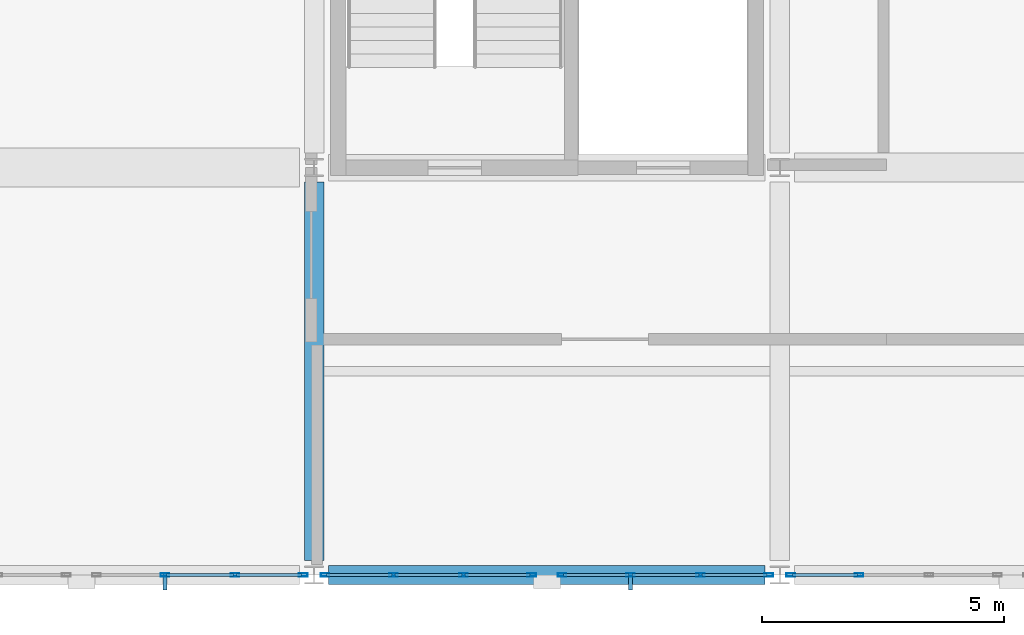
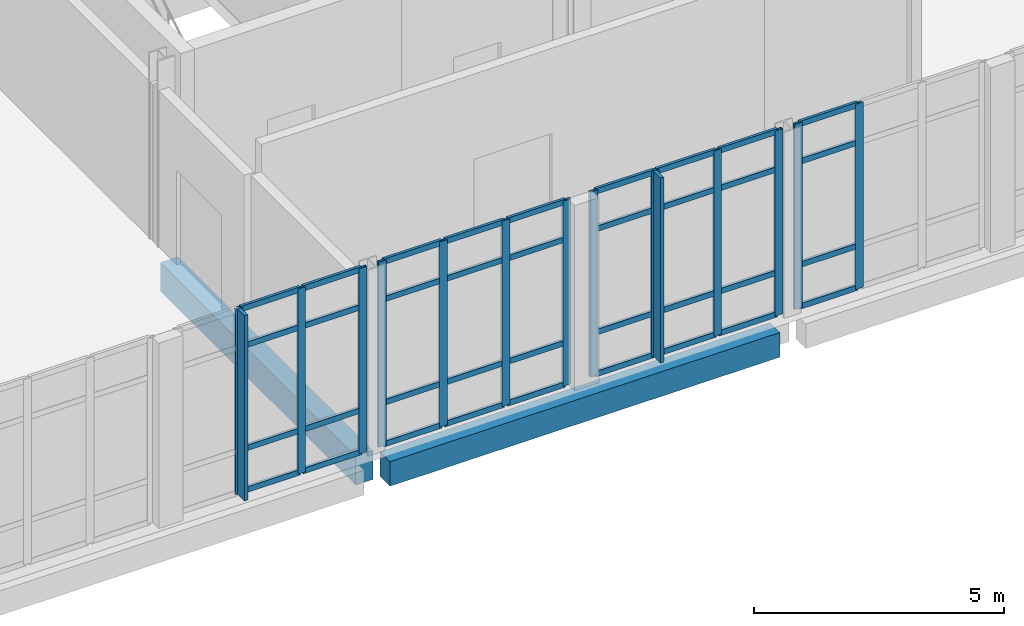
# One storey, part 16 of 102: 51 members, 2 beams, 4 elements without a shape of their own.
"""IFC4 building model written with IfcOpenShell, lengths in metres."""

from ifc_helpers import new_model, si_unit, direction, frame, origin, origin_2d, place, context, subcontext, project, spatial, rectangle, hollow_rectangle, extrude, material, layer, layer_set, material_profile, profile_set, type_object, element, aggregate, save


model = new_model("IFC4")

# Units and contexts
model_context = context("Model", 3, precision=1e-05, world=origin(), true_north=direction((0.0, 1.0)))
body_context = subcontext(model_context, "Body", "Model", "MODEL_VIEW")
ifc_project = project(units=[si_unit("LENGTHUNIT", "METRE"), si_unit("AREAUNIT", "SQUARE_METRE"), si_unit("VOLUMEUNIT", "CUBIC_METRE"), si_unit("PLANEANGLEUNIT", "RADIAN"), si_unit("MASSUNIT", "GRAM", prefix="KILO")], contexts=[model_context])

# Site, building, storey
site_placement = place(None, origin())
site = spatial("IfcSite", under=ifc_project, at=site_placement, CompositionType="ELEMENT")
building_placement = place(site_placement, origin())
building = spatial("IfcBuilding", under=site, at=building_placement, Name="Lornevale Opera House", CompositionType="ELEMENT")
storey_placement = place(building_placement, frame((0.0, 0.0, 5.39990234375)))
storey = spatial("IfcBuildingStorey", under=building, at=storey_placement, Name="L02", CompositionType="ELEMENT", Elevation=5.39990234375)

# Beams
ifc_material_1 = material(Name="Concrete 35 MPa (CSA A23.1 N)", Category="concrete")
ifc_material_profile_1 = material_profile(ifc_material_1, rectangle(XDim=0.39990234375, YDim=0.699951171875, at=origin_2d()), Name="RC400x700")
ifc_profile_set_1 = profile_set([ifc_material_profile_1], Name="Concrete 35 MPa (CSA A23.1 N)")
beam_type_1 = type_object("IfcBeamType", Name="Concrete Floor Beam 400x700", PredefinedType="USERDEFINED", material=ifc_profile_set_1)
beam_1_placement = place(storey_placement, frame((19.199951171875, 0.300048828125, -0.64990234375), z_axis=(0.0, 1.0, 0.0), x_axis=(-1.0, 0.0, 0.0)))
element("IfcBeam", 1, at=beam_1_placement, inside=storey, type_object=beam_type_1, Name="Concrete Floor Beam 400x700 1838", ObjectType="GIRDER", PredefinedType="USERDEFINED", context=body_context, shape_type="SweptSolid", body=[
    extrude(rectangle(XDim=0.39990234375, YDim=0.699951171875, at=origin_2d()), origin(), (0.0, 0.0, 1.0), 7.800048828125),
])
ifc_material_profile_2 = material_profile(ifc_material_1, rectangle(XDim=0.39990234375, YDim=0.60009765625, at=origin_2d()), Name="RC400x600")
ifc_profile_set_2 = profile_set([ifc_material_profile_2], Name="Concrete 35 MPa (CSA A23.1 N)")
beam_type_2 = type_object("IfcBeamType", Name="Concrete Spandrel Beam 400x600", PredefinedType="SPANDREL", material=ifc_profile_set_2)
beam_2_placement = place(storey_placement, frame((19.5, 0.0, -0.599853515625), z_axis=(1.0, 0.0, 0.0), x_axis=(0.0, 1.0, 0.0)))
element("IfcBeam", 2, at=beam_2_placement, inside=storey, type_object=beam_type_2, Name="Concrete Spandrel Beam 400x600 1673", PredefinedType="SPANDREL", context=body_context, shape_type="SweptSolid", body=[
    extrude(rectangle(XDim=0.39990234375, YDim=0.60009765625, at=origin_2d()), origin(), (0.0, 0.0, 1.0), 9.0),
])

# Curtain wall, members
ifc_material_2 = material(Name="Anodized Oxide-Green Aluminium Framing", Category="aluminium")
ifc_layer = layer(ifc_material_2, 0.175048828125)
ifc_layer_set = layer_set([ifc_layer], Name="Anodized Oxide-Green Aluminium Framing")
curtain_wall_type = type_object("IfcCurtainWallType", Name="Chamber Cloister Curtain Wall M1700", PredefinedType="NOTDEFINED", material=ifc_layer_set)
curtain_wall_1_placement = place(storey_placement, origin())
curtain_wall_1 = element("IfcCurtainWall", 3, at=curtain_wall_1_placement, inside=storey, type_object=curtain_wall_type, Name="Chamber Cloister Curtain Wall M1700 CW-029", PredefinedType="NOTDEFINED")
ifc_material_profile_3 = material_profile(ifc_material_2, hollow_rectangle(XDim=0.06494140625, YDim=0.179931640625, WallThickness=0.0048828125, at=origin_2d()), Name="ALU65x180x5")
ifc_profile_set_3 = profile_set([ifc_material_profile_3], Name="Anodized Oxide-Green Aluminium Framing")
member_type_1 = type_object("IfcMemberType", Name="Curtain Wall Mullion 65x180", PredefinedType="MULLION", material=ifc_profile_set_3)
member_1_placement = place(storey_placement, frame((18.974609375, 0.0, 0.0), z_axis=(0.0, 0.0, 1.0), x_axis=(0.0, -1.0, 0.0)))
member_1 = element("IfcMember", 4, at=member_1_placement, type_object=member_type_1, Name="Curtain Wall Mullion 65x180 CW0533", PredefinedType="MULLION", context=body_context, shape_type="SweptSolid", body=[
    extrude(hollow_rectangle(XDim=0.06494140625, YDim=0.179931640625, WallThickness=0.0048828125, at=origin_2d()), origin(), (0.0, 0.0, 1.0), 4.52001953125),
])
member_2_placement = place(storey_placement, frame((17.564697265625, 0.0, 0.0), z_axis=(0.0, 0.0, 1.0), x_axis=(0.0, -1.0, 0.0)))
member_2 = element("IfcMember", 5, at=member_2_placement, type_object=member_type_1, Name="Curtain Wall Mullion 65x180 CW0534", PredefinedType="MULLION", context=body_context, shape_type="SweptSolid", body=[
    extrude(hollow_rectangle(XDim=0.06494140625, YDim=0.179931640625, WallThickness=0.0048828125, at=origin_2d()), origin(), (0.0, 0.0, 1.0), 4.52001953125),
])
member_3_placement = place(storey_placement, frame((16.122314453125, 0.0, 0.0), z_axis=(0.0, 0.0, 1.0), x_axis=(0.0, -1.0, 0.0)))
member_3 = element("IfcMember", 6, at=member_3_placement, type_object=member_type_1, Name="Curtain Wall Mullion 65x180 CW0535", PredefinedType="MULLION", context=body_context, shape_type="SweptSolid", body=[
    extrude(hollow_rectangle(XDim=0.06494140625, YDim=0.179931640625, WallThickness=0.0048828125, at=origin_2d()), origin(), (0.0, 0.0, 1.0), 4.52001953125),
])

curtain_wall_2_placement = place(storey_placement, origin())
curtain_wall_2 = element("IfcCurtainWall", 7, at=curtain_wall_2_placement, inside=storey, type_object=curtain_wall_type, Name="Chamber Cloister Curtain Wall M1700 CW-037", PredefinedType="NOTDEFINED")
member_4_placement = place(storey_placement, frame((28.574462890625, 0.0, 0.0), z_axis=(0.0, 0.0, 1.0), x_axis=(0.0, -1.0, 0.0)))
member_4 = element("IfcMember", 8, at=member_4_placement, type_object=member_type_1, Name="Curtain Wall Mullion 65x180 CW0733", PredefinedType="MULLION", context=body_context, shape_type="SweptSolid", body=[
    extrude(hollow_rectangle(XDim=0.06494140625, YDim=0.179931640625, WallThickness=0.0048828125, at=origin_2d()), origin(), (0.0, 0.0, 1.0), 4.52001953125),
])
member_5_placement = place(storey_placement, frame((27.164794921875, 0.0, 0.0), z_axis=(0.0, 0.0, 1.0), x_axis=(0.0, -1.0, 0.0)))
member_5 = element("IfcMember", 9, at=member_5_placement, type_object=member_type_1, Name="Curtain Wall Mullion 65x180 CW0734", PredefinedType="MULLION", context=body_context, shape_type="SweptSolid", body=[
    extrude(hollow_rectangle(XDim=0.06494140625, YDim=0.179931640625, WallThickness=0.0048828125, at=origin_2d()), origin(), (0.0, 0.0, 1.0), 4.52001953125),
])
member_6_placement = place(storey_placement, frame((25.722412109375, 0.0, 0.0), z_axis=(0.0, 0.0, 1.0), x_axis=(0.0, -1.0, 0.0)))
member_6 = element("IfcMember", 10, at=member_6_placement, type_object=member_type_1, Name="Curtain Wall Mullion 65x180 CW0735", PredefinedType="MULLION", context=body_context, shape_type="SweptSolid", body=[
    extrude(hollow_rectangle(XDim=0.06494140625, YDim=0.179931640625, WallThickness=0.0048828125, at=origin_2d()), origin(), (0.0, 0.0, 1.0), 4.52001953125),
])
member_7_placement = place(storey_placement, frame((24.3125, 0.0, 0.0), z_axis=(0.0, 0.0, 1.0), x_axis=(0.0, -1.0, 0.0)))
member_7 = element("IfcMember", 11, at=member_7_placement, type_object=member_type_1, Name="Curtain Wall Mullion 65x180 CW0736", PredefinedType="MULLION", context=body_context, shape_type="SweptSolid", body=[
    extrude(hollow_rectangle(XDim=0.06494140625, YDim=0.179931640625, WallThickness=0.0048828125, at=origin_2d()), origin(), (0.0, 0.0, 1.0), 4.52001953125),
])

curtain_wall_3_placement = place(storey_placement, origin())
curtain_wall_3 = element("IfcCurtainWall", 12, at=curtain_wall_3_placement, inside=storey, type_object=curtain_wall_type, Name="Chamber Cloister Curtain Wall M1700 CW-038", PredefinedType="NOTDEFINED")
member_8_placement = place(storey_placement, frame((23.6875, 0.0, 0.0), z_axis=(0.0, 0.0, 1.0), x_axis=(0.0, -1.0, 0.0)))
member_8 = element("IfcMember", 13, at=member_8_placement, type_object=member_type_1, Name="Curtain Wall Mullion 65x180 CW0758", PredefinedType="MULLION", context=body_context, shape_type="SweptSolid", body=[
    extrude(hollow_rectangle(XDim=0.06494140625, YDim=0.179931640625, WallThickness=0.0048828125, at=origin_2d()), origin(), (0.0, 0.0, 1.0), 4.52001953125),
])
member_9_placement = place(storey_placement, frame((22.277587890625, 0.0, 0.0), z_axis=(0.0, 0.0, 1.0), x_axis=(0.0, -1.0, 0.0)))
member_9 = element("IfcMember", 14, at=member_9_placement, type_object=member_type_1, Name="Curtain Wall Mullion 65x180 CW0759", PredefinedType="MULLION", context=body_context, shape_type="SweptSolid", body=[
    extrude(hollow_rectangle(XDim=0.06494140625, YDim=0.179931640625, WallThickness=0.0048828125, at=origin_2d()), origin(), (0.0, 0.0, 1.0), 4.52001953125),
])
member_10_placement = place(storey_placement, frame((20.835205078125, 0.0, 0.0), z_axis=(0.0, 0.0, 1.0), x_axis=(0.0, -1.0, 0.0)))
member_10 = element("IfcMember", 15, at=member_10_placement, type_object=member_type_1, Name="Curtain Wall Mullion 65x180 CW0760", PredefinedType="MULLION", context=body_context, shape_type="SweptSolid", body=[
    extrude(hollow_rectangle(XDim=0.06494140625, YDim=0.179931640625, WallThickness=0.0048828125, at=origin_2d()), origin(), (0.0, 0.0, 1.0), 4.52001953125),
])
member_11_placement = place(storey_placement, frame((19.425537109375, 0.0, 0.0), z_axis=(0.0, 0.0, 1.0), x_axis=(0.0, -1.0, 0.0)))
member_11 = element("IfcMember", 16, at=member_11_placement, type_object=member_type_1, Name="Curtain Wall Mullion 65x180 CW0761", PredefinedType="MULLION", context=body_context, shape_type="SweptSolid", body=[
    extrude(hollow_rectangle(XDim=0.06494140625, YDim=0.179931640625, WallThickness=0.0048828125, at=origin_2d()), origin(), (0.0, 0.0, 1.0), 4.52001953125),
])

curtain_wall_4_placement = place(storey_placement, origin())
curtain_wall_4 = element("IfcCurtainWall", 17, at=curtain_wall_4_placement, inside=storey, type_object=curtain_wall_type, Name="Chamber Cloister Curtain Wall M1700 CW-046", PredefinedType="NOTDEFINED")
member_12_placement = place(storey_placement, frame((30.435302734375, 0.0, 0.0), z_axis=(0.0, 0.0, 1.0), x_axis=(0.0, -1.0, 0.0)))
member_12 = element("IfcMember", 18, at=member_12_placement, type_object=member_type_1, Name="Curtain Wall Mullion 65x180 CW0952", PredefinedType="MULLION", context=body_context, shape_type="SweptSolid", body=[
    extrude(hollow_rectangle(XDim=0.06494140625, YDim=0.179931640625, WallThickness=0.0048828125, at=origin_2d()), origin(), (0.0, 0.0, 1.0), 4.52001953125),
])
member_13_placement = place(storey_placement, frame((29.025390625, 0.0, 0.0), z_axis=(0.0, 0.0, 1.0), x_axis=(0.0, -1.0, 0.0)))
member_13 = element("IfcMember", 19, at=member_13_placement, type_object=member_type_1, Name="Curtain Wall Mullion 65x180 CW0953", PredefinedType="MULLION", context=body_context, shape_type="SweptSolid", body=[
    extrude(hollow_rectangle(XDim=0.06494140625, YDim=0.179931640625, WallThickness=0.0048828125, at=origin_2d()), origin(), (0.0, 0.0, 1.0), 4.52001953125),
])

# Member
ifc_material_profile_4 = material_profile(ifc_material_2, hollow_rectangle(XDim=0.06494140625, YDim=0.135009765625, WallThickness=0.00390625, at=origin_2d()), Name="ALU65x135x4")
ifc_profile_set_4 = profile_set([ifc_material_profile_4], Name="Anodized Oxide-Green Aluminium Framing")
member_type_2 = type_object("IfcMemberType", Name="Curtain Wall Transom 65x135", PredefinedType="USERDEFINED", material=ifc_profile_set_4)
member_14_placement = place(storey_placement, frame((18.94189453125, 0.0, 0.03271484375), z_axis=(-1.0, 0.0, 0.0), x_axis=(0.0, -1.0, 0.0)))
member_14 = element("IfcMember", 20, at=member_14_placement, type_object=member_type_2, Name="Curtain Wall Transom 65x135 CW0537", ObjectType="TRANSOM", PredefinedType="USERDEFINED", context=body_context, shape_type="SweptSolid", body=[
    extrude(hollow_rectangle(XDim=0.06494140625, YDim=0.135009765625, WallThickness=0.00390625, at=origin_2d()), origin(), (0.0, 0.0, 1.0), 1.3447265625),
])

member_15_placement = place(storey_placement, frame((18.94189453125, 0.0, 1.050048828125), z_axis=(-1.0, 0.0, 0.0), x_axis=(0.0, -1.0, 0.0)))
member_15 = element("IfcMember", 21, at=member_15_placement, type_object=member_type_2, Name="Curtain Wall Transom 65x135 CW0538", ObjectType="TRANSOM", PredefinedType="USERDEFINED", context=body_context, shape_type="SweptSolid", body=[
    extrude(hollow_rectangle(XDim=0.06494140625, YDim=0.135009765625, WallThickness=0.00390625, at=origin_2d()), origin(), (0.0, 0.0, 1.0), 1.3447265625),
])

member_16_placement = place(storey_placement, frame((18.94189453125, 0.0, 3.570068359375), z_axis=(-1.0, 0.0, 0.0), x_axis=(0.0, -1.0, 0.0)))
member_16 = element("IfcMember", 22, at=member_16_placement, type_object=member_type_2, Name="Curtain Wall Transom 65x135 CW0539", ObjectType="TRANSOM", PredefinedType="USERDEFINED", context=body_context, shape_type="SweptSolid", body=[
    extrude(hollow_rectangle(XDim=0.06494140625, YDim=0.135009765625, WallThickness=0.00390625, at=origin_2d()), origin(), (0.0, 0.0, 1.0), 1.3447265625),
])

member_17_placement = place(storey_placement, frame((18.94189453125, 0.0, 4.487548828125), z_axis=(-1.0, 0.0, 0.0), x_axis=(0.0, -1.0, 0.0)))
member_17 = element("IfcMember", 23, at=member_17_placement, type_object=member_type_2, Name="Curtain Wall Transom 65x135 CW0540", ObjectType="TRANSOM", PredefinedType="USERDEFINED", context=body_context, shape_type="SweptSolid", body=[
    extrude(hollow_rectangle(XDim=0.06494140625, YDim=0.135009765625, WallThickness=0.00390625, at=origin_2d()), origin(), (0.0, 0.0, 1.0), 1.3447265625),
])

member_18_placement = place(storey_placement, frame((17.5322265625, 0.0, 0.03271484375), z_axis=(-1.0, 0.0, 0.0), x_axis=(0.0, -1.0, 0.0)))
member_18 = element("IfcMember", 24, at=member_18_placement, type_object=member_type_2, Name="Curtain Wall Transom 65x135 CW0544", ObjectType="TRANSOM", PredefinedType="USERDEFINED", context=body_context, shape_type="SweptSolid", body=[
    extrude(hollow_rectangle(XDim=0.06494140625, YDim=0.135009765625, WallThickness=0.00390625, at=origin_2d()), origin(), (0.0, 0.0, 1.0), 1.37744140625),
])

member_19_placement = place(storey_placement, frame((17.5322265625, 0.0, 1.050048828125), z_axis=(-1.0, 0.0, 0.0), x_axis=(0.0, -1.0, 0.0)))
member_19 = element("IfcMember", 25, at=member_19_placement, type_object=member_type_2, Name="Curtain Wall Transom 65x135 CW0545", ObjectType="TRANSOM", PredefinedType="USERDEFINED", context=body_context, shape_type="SweptSolid", body=[
    extrude(hollow_rectangle(XDim=0.06494140625, YDim=0.135009765625, WallThickness=0.00390625, at=origin_2d()), origin(), (0.0, 0.0, 1.0), 1.37744140625),
])

member_20_placement = place(storey_placement, frame((17.5322265625, 0.0, 3.570068359375), z_axis=(-1.0, 0.0, 0.0), x_axis=(0.0, -1.0, 0.0)))
member_20 = element("IfcMember", 26, at=member_20_placement, type_object=member_type_2, Name="Curtain Wall Transom 65x135 CW0546", ObjectType="TRANSOM", PredefinedType="USERDEFINED", context=body_context, shape_type="SweptSolid", body=[
    extrude(hollow_rectangle(XDim=0.06494140625, YDim=0.135009765625, WallThickness=0.00390625, at=origin_2d()), origin(), (0.0, 0.0, 1.0), 1.37744140625),
])

member_21_placement = place(storey_placement, frame((17.5322265625, 0.0, 4.487548828125), z_axis=(-1.0, 0.0, 0.0), x_axis=(0.0, -1.0, 0.0)))
member_21 = element("IfcMember", 27, at=member_21_placement, type_object=member_type_2, Name="Curtain Wall Transom 65x135 CW0547", ObjectType="TRANSOM", PredefinedType="USERDEFINED", context=body_context, shape_type="SweptSolid", body=[
    extrude(hollow_rectangle(XDim=0.06494140625, YDim=0.135009765625, WallThickness=0.00390625, at=origin_2d()), origin(), (0.0, 0.0, 1.0), 1.37744140625),
])

member_22_placement = place(storey_placement, frame((28.5419921875, 0.0, 0.03271484375), z_axis=(-1.0, 0.0, 0.0), x_axis=(0.0, -1.0, 0.0)))
member_22 = element("IfcMember", 28, at=member_22_placement, type_object=member_type_2, Name="Curtain Wall Transom 65x135 CW0737", ObjectType="TRANSOM", PredefinedType="USERDEFINED", context=body_context, shape_type="SweptSolid", body=[
    extrude(hollow_rectangle(XDim=0.06494140625, YDim=0.135009765625, WallThickness=0.00390625, at=origin_2d()), origin(), (0.0, 0.0, 1.0), 1.3447265625),
])

member_23_placement = place(storey_placement, frame((28.5419921875, 0.0, 1.050048828125), z_axis=(-1.0, 0.0, 0.0), x_axis=(0.0, -1.0, 0.0)))
member_23 = element("IfcMember", 29, at=member_23_placement, type_object=member_type_2, Name="Curtain Wall Transom 65x135 CW0738", ObjectType="TRANSOM", PredefinedType="USERDEFINED", context=body_context, shape_type="SweptSolid", body=[
    extrude(hollow_rectangle(XDim=0.06494140625, YDim=0.135009765625, WallThickness=0.00390625, at=origin_2d()), origin(), (0.0, 0.0, 1.0), 1.3447265625),
])

member_24_placement = place(storey_placement, frame((28.5419921875, 0.0, 3.570068359375), z_axis=(-1.0, 0.0, 0.0), x_axis=(0.0, -1.0, 0.0)))
member_24 = element("IfcMember", 30, at=member_24_placement, type_object=member_type_2, Name="Curtain Wall Transom 65x135 CW0739", ObjectType="TRANSOM", PredefinedType="USERDEFINED", context=body_context, shape_type="SweptSolid", body=[
    extrude(hollow_rectangle(XDim=0.06494140625, YDim=0.135009765625, WallThickness=0.00390625, at=origin_2d()), origin(), (0.0, 0.0, 1.0), 1.3447265625),
])

member_25_placement = place(storey_placement, frame((28.5419921875, 0.0, 4.487548828125), z_axis=(-1.0, 0.0, 0.0), x_axis=(0.0, -1.0, 0.0)))
member_25 = element("IfcMember", 31, at=member_25_placement, type_object=member_type_2, Name="Curtain Wall Transom 65x135 CW0740", ObjectType="TRANSOM", PredefinedType="USERDEFINED", context=body_context, shape_type="SweptSolid", body=[
    extrude(hollow_rectangle(XDim=0.06494140625, YDim=0.135009765625, WallThickness=0.00390625, at=origin_2d()), origin(), (0.0, 0.0, 1.0), 1.3447265625),
])

member_26_placement = place(storey_placement, frame((27.132080078125, 0.0, 0.03271484375), z_axis=(-1.0, 0.0, 0.0), x_axis=(0.0, -1.0, 0.0)))
member_26 = element("IfcMember", 32, at=member_26_placement, type_object=member_type_2, Name="Curtain Wall Transom 65x135 CW0744", ObjectType="TRANSOM", PredefinedType="USERDEFINED", context=body_context, shape_type="SweptSolid", body=[
    extrude(hollow_rectangle(XDim=0.06494140625, YDim=0.135009765625, WallThickness=0.00390625, at=origin_2d()), origin(), (0.0, 0.0, 1.0), 1.377197265625),
])

member_27_placement = place(storey_placement, frame((27.132080078125, 0.0, 1.050048828125), z_axis=(-1.0, 0.0, 0.0), x_axis=(0.0, -1.0, 0.0)))
member_27 = element("IfcMember", 33, at=member_27_placement, type_object=member_type_2, Name="Curtain Wall Transom 65x135 CW0745", ObjectType="TRANSOM", PredefinedType="USERDEFINED", context=body_context, shape_type="SweptSolid", body=[
    extrude(hollow_rectangle(XDim=0.06494140625, YDim=0.135009765625, WallThickness=0.00390625, at=origin_2d()), origin(), (0.0, 0.0, 1.0), 1.377197265625),
])

member_28_placement = place(storey_placement, frame((27.132080078125, 0.0, 3.570068359375), z_axis=(-1.0, 0.0, 0.0), x_axis=(0.0, -1.0, 0.0)))
member_28 = element("IfcMember", 34, at=member_28_placement, type_object=member_type_2, Name="Curtain Wall Transom 65x135 CW0746", ObjectType="TRANSOM", PredefinedType="USERDEFINED", context=body_context, shape_type="SweptSolid", body=[
    extrude(hollow_rectangle(XDim=0.06494140625, YDim=0.135009765625, WallThickness=0.00390625, at=origin_2d()), origin(), (0.0, 0.0, 1.0), 1.377197265625),
])

member_29_placement = place(storey_placement, frame((27.132080078125, 0.0, 4.487548828125), z_axis=(-1.0, 0.0, 0.0), x_axis=(0.0, -1.0, 0.0)))
member_29 = element("IfcMember", 35, at=member_29_placement, type_object=member_type_2, Name="Curtain Wall Transom 65x135 CW0747", ObjectType="TRANSOM", PredefinedType="USERDEFINED", context=body_context, shape_type="SweptSolid", body=[
    extrude(hollow_rectangle(XDim=0.06494140625, YDim=0.135009765625, WallThickness=0.00390625, at=origin_2d()), origin(), (0.0, 0.0, 1.0), 1.377197265625),
])

member_30_placement = place(storey_placement, frame((25.689697265625, 0.0, 0.03271484375), z_axis=(-1.0, 0.0, 0.0), x_axis=(0.0, -1.0, 0.0)))
member_30 = element("IfcMember", 36, at=member_30_placement, type_object=member_type_2, Name="Curtain Wall Transom 65x135 CW0751", ObjectType="TRANSOM", PredefinedType="USERDEFINED", context=body_context, shape_type="SweptSolid", body=[
    extrude(hollow_rectangle(XDim=0.06494140625, YDim=0.135009765625, WallThickness=0.00390625, at=origin_2d()), origin(), (0.0, 0.0, 1.0), 1.3447265625),
])

member_31_placement = place(storey_placement, frame((25.689697265625, 0.0, 1.050048828125), z_axis=(-1.0, 0.0, 0.0), x_axis=(0.0, -1.0, 0.0)))
member_31 = element("IfcMember", 37, at=member_31_placement, type_object=member_type_2, Name="Curtain Wall Transom 65x135 CW0752", ObjectType="TRANSOM", PredefinedType="USERDEFINED", context=body_context, shape_type="SweptSolid", body=[
    extrude(hollow_rectangle(XDim=0.06494140625, YDim=0.135009765625, WallThickness=0.00390625, at=origin_2d()), origin(), (0.0, 0.0, 1.0), 1.3447265625),
])

member_32_placement = place(storey_placement, frame((25.689697265625, 0.0, 3.570068359375), z_axis=(-1.0, 0.0, 0.0), x_axis=(0.0, -1.0, 0.0)))
member_32 = element("IfcMember", 38, at=member_32_placement, type_object=member_type_2, Name="Curtain Wall Transom 65x135 CW0753", ObjectType="TRANSOM", PredefinedType="USERDEFINED", context=body_context, shape_type="SweptSolid", body=[
    extrude(hollow_rectangle(XDim=0.06494140625, YDim=0.135009765625, WallThickness=0.00390625, at=origin_2d()), origin(), (0.0, 0.0, 1.0), 1.3447265625),
])

member_33_placement = place(storey_placement, frame((25.689697265625, 0.0, 4.487548828125), z_axis=(-1.0, 0.0, 0.0), x_axis=(0.0, -1.0, 0.0)))
member_33 = element("IfcMember", 39, at=member_33_placement, type_object=member_type_2, Name="Curtain Wall Transom 65x135 CW0754", ObjectType="TRANSOM", PredefinedType="USERDEFINED", context=body_context, shape_type="SweptSolid", body=[
    extrude(hollow_rectangle(XDim=0.06494140625, YDim=0.135009765625, WallThickness=0.00390625, at=origin_2d()), origin(), (0.0, 0.0, 1.0), 1.3447265625),
])

member_34_placement = place(storey_placement, frame((23.655029296875, 0.0, 0.03271484375), z_axis=(-1.0, 0.0, 0.0), x_axis=(0.0, -1.0, 0.0)))
member_34 = element("IfcMember", 40, at=member_34_placement, type_object=member_type_2, Name="Curtain Wall Transom 65x135 CW0762", ObjectType="TRANSOM", PredefinedType="USERDEFINED", context=body_context, shape_type="SweptSolid", body=[
    extrude(hollow_rectangle(XDim=0.06494140625, YDim=0.135009765625, WallThickness=0.00390625, at=origin_2d()), origin(), (0.0, 0.0, 1.0), 1.3447265625),
])

member_35_placement = place(storey_placement, frame((23.655029296875, 0.0, 1.050048828125), z_axis=(-1.0, 0.0, 0.0), x_axis=(0.0, -1.0, 0.0)))
member_35 = element("IfcMember", 41, at=member_35_placement, type_object=member_type_2, Name="Curtain Wall Transom 65x135 CW0763", ObjectType="TRANSOM", PredefinedType="USERDEFINED", context=body_context, shape_type="SweptSolid", body=[
    extrude(hollow_rectangle(XDim=0.06494140625, YDim=0.135009765625, WallThickness=0.00390625, at=origin_2d()), origin(), (0.0, 0.0, 1.0), 1.3447265625),
])

member_36_placement = place(storey_placement, frame((23.655029296875, 0.0, 3.570068359375), z_axis=(-1.0, 0.0, 0.0), x_axis=(0.0, -1.0, 0.0)))
member_36 = element("IfcMember", 42, at=member_36_placement, type_object=member_type_2, Name="Curtain Wall Transom 65x135 CW0764", ObjectType="TRANSOM", PredefinedType="USERDEFINED", context=body_context, shape_type="SweptSolid", body=[
    extrude(hollow_rectangle(XDim=0.06494140625, YDim=0.135009765625, WallThickness=0.00390625, at=origin_2d()), origin(), (0.0, 0.0, 1.0), 1.3447265625),
])

member_37_placement = place(storey_placement, frame((23.655029296875, 0.0, 4.487548828125), z_axis=(-1.0, 0.0, 0.0), x_axis=(0.0, -1.0, 0.0)))
member_37 = element("IfcMember", 43, at=member_37_placement, type_object=member_type_2, Name="Curtain Wall Transom 65x135 CW0765", ObjectType="TRANSOM", PredefinedType="USERDEFINED", context=body_context, shape_type="SweptSolid", body=[
    extrude(hollow_rectangle(XDim=0.06494140625, YDim=0.135009765625, WallThickness=0.00390625, at=origin_2d()), origin(), (0.0, 0.0, 1.0), 1.3447265625),
])

member_38_placement = place(storey_placement, frame((22.2451171875, 0.0, 0.03271484375), z_axis=(-1.0, 0.0, 0.0), x_axis=(0.0, -1.0, 0.0)))
member_38 = element("IfcMember", 44, at=member_38_placement, type_object=member_type_2, Name="Curtain Wall Transom 65x135 CW0769", ObjectType="TRANSOM", PredefinedType="USERDEFINED", context=body_context, shape_type="SweptSolid", body=[
    extrude(hollow_rectangle(XDim=0.06494140625, YDim=0.135009765625, WallThickness=0.00390625, at=origin_2d()), origin(), (0.0, 0.0, 1.0), 1.377197265625),
])

member_39_placement = place(storey_placement, frame((22.2451171875, 0.0, 1.050048828125), z_axis=(-1.0, 0.0, 0.0), x_axis=(0.0, -1.0, 0.0)))
member_39 = element("IfcMember", 45, at=member_39_placement, type_object=member_type_2, Name="Curtain Wall Transom 65x135 CW0770", ObjectType="TRANSOM", PredefinedType="USERDEFINED", context=body_context, shape_type="SweptSolid", body=[
    extrude(hollow_rectangle(XDim=0.06494140625, YDim=0.135009765625, WallThickness=0.00390625, at=origin_2d()), origin(), (0.0, 0.0, 1.0), 1.377197265625),
])

member_40_placement = place(storey_placement, frame((22.2451171875, 0.0, 3.570068359375), z_axis=(-1.0, 0.0, 0.0), x_axis=(0.0, -1.0, 0.0)))
member_40 = element("IfcMember", 46, at=member_40_placement, type_object=member_type_2, Name="Curtain Wall Transom 65x135 CW0771", ObjectType="TRANSOM", PredefinedType="USERDEFINED", context=body_context, shape_type="SweptSolid", body=[
    extrude(hollow_rectangle(XDim=0.06494140625, YDim=0.135009765625, WallThickness=0.00390625, at=origin_2d()), origin(), (0.0, 0.0, 1.0), 1.377197265625),
])

member_41_placement = place(storey_placement, frame((22.2451171875, 0.0, 4.487548828125), z_axis=(-1.0, 0.0, 0.0), x_axis=(0.0, -1.0, 0.0)))
member_41 = element("IfcMember", 47, at=member_41_placement, type_object=member_type_2, Name="Curtain Wall Transom 65x135 CW0772", ObjectType="TRANSOM", PredefinedType="USERDEFINED", context=body_context, shape_type="SweptSolid", body=[
    extrude(hollow_rectangle(XDim=0.06494140625, YDim=0.135009765625, WallThickness=0.00390625, at=origin_2d()), origin(), (0.0, 0.0, 1.0), 1.377197265625),
])

member_42_placement = place(storey_placement, frame((20.802734375, 0.0, 0.03271484375), z_axis=(-1.0, 0.0, 0.0), x_axis=(0.0, -1.0, 0.0)))
member_42 = element("IfcMember", 48, at=member_42_placement, type_object=member_type_2, Name="Curtain Wall Transom 65x135 CW0776", ObjectType="TRANSOM", PredefinedType="USERDEFINED", context=body_context, shape_type="SweptSolid", body=[
    extrude(hollow_rectangle(XDim=0.06494140625, YDim=0.135009765625, WallThickness=0.00390625, at=origin_2d()), origin(), (0.0, 0.0, 1.0), 1.3447265625),
])

member_43_placement = place(storey_placement, frame((20.802734375, 0.0, 1.050048828125), z_axis=(-1.0, 0.0, 0.0), x_axis=(0.0, -1.0, 0.0)))
member_43 = element("IfcMember", 49, at=member_43_placement, type_object=member_type_2, Name="Curtain Wall Transom 65x135 CW0777", ObjectType="TRANSOM", PredefinedType="USERDEFINED", context=body_context, shape_type="SweptSolid", body=[
    extrude(hollow_rectangle(XDim=0.06494140625, YDim=0.135009765625, WallThickness=0.00390625, at=origin_2d()), origin(), (0.0, 0.0, 1.0), 1.3447265625),
])

member_44_placement = place(storey_placement, frame((20.802734375, 0.0, 3.570068359375), z_axis=(-1.0, 0.0, 0.0), x_axis=(0.0, -1.0, 0.0)))
member_44 = element("IfcMember", 50, at=member_44_placement, type_object=member_type_2, Name="Curtain Wall Transom 65x135 CW0778", ObjectType="TRANSOM", PredefinedType="USERDEFINED", context=body_context, shape_type="SweptSolid", body=[
    extrude(hollow_rectangle(XDim=0.06494140625, YDim=0.135009765625, WallThickness=0.00390625, at=origin_2d()), origin(), (0.0, 0.0, 1.0), 1.3447265625),
])

member_45_placement = place(storey_placement, frame((20.802734375, 0.0, 4.487548828125), z_axis=(-1.0, 0.0, 0.0), x_axis=(0.0, -1.0, 0.0)))
member_45 = element("IfcMember", 51, at=member_45_placement, type_object=member_type_2, Name="Curtain Wall Transom 65x135 CW0779", ObjectType="TRANSOM", PredefinedType="USERDEFINED", context=body_context, shape_type="SweptSolid", body=[
    extrude(hollow_rectangle(XDim=0.06494140625, YDim=0.135009765625, WallThickness=0.00390625, at=origin_2d()), origin(), (0.0, 0.0, 1.0), 1.3447265625),
])

aggregate(curtain_wall_3, [member_8, member_9, member_10, member_11, member_34, member_35, member_36, member_37, member_38, member_39, member_40, member_41, member_42, member_43, member_44, member_45])

member_46_placement = place(storey_placement, frame((30.40283203125, 0.0, 0.03271484375), z_axis=(-1.0, 0.0, 0.0), x_axis=(0.0, -1.0, 0.0)))
member_46 = element("IfcMember", 52, at=member_46_placement, type_object=member_type_2, Name="Curtain Wall Transom 65x135 CW0968", ObjectType="TRANSOM", PredefinedType="USERDEFINED", context=body_context, shape_type="SweptSolid", body=[
    extrude(hollow_rectangle(XDim=0.06494140625, YDim=0.135009765625, WallThickness=0.00390625, at=origin_2d()), origin(), (0.0, 0.0, 1.0), 1.3447265625),
])

member_47_placement = place(storey_placement, frame((30.40283203125, 0.0, 1.050048828125), z_axis=(-1.0, 0.0, 0.0), x_axis=(0.0, -1.0, 0.0)))
member_47 = element("IfcMember", 53, at=member_47_placement, type_object=member_type_2, Name="Curtain Wall Transom 65x135 CW0969", ObjectType="TRANSOM", PredefinedType="USERDEFINED", context=body_context, shape_type="SweptSolid", body=[
    extrude(hollow_rectangle(XDim=0.06494140625, YDim=0.135009765625, WallThickness=0.00390625, at=origin_2d()), origin(), (0.0, 0.0, 1.0), 1.3447265625),
])

member_48_placement = place(storey_placement, frame((30.40283203125, 0.0, 3.570068359375), z_axis=(-1.0, 0.0, 0.0), x_axis=(0.0, -1.0, 0.0)))
member_48 = element("IfcMember", 54, at=member_48_placement, type_object=member_type_2, Name="Curtain Wall Transom 65x135 CW0970", ObjectType="TRANSOM", PredefinedType="USERDEFINED", context=body_context, shape_type="SweptSolid", body=[
    extrude(hollow_rectangle(XDim=0.06494140625, YDim=0.135009765625, WallThickness=0.00390625, at=origin_2d()), origin(), (0.0, 0.0, 1.0), 1.3447265625),
])

member_49_placement = place(storey_placement, frame((30.40283203125, 0.0, 4.487548828125), z_axis=(-1.0, 0.0, 0.0), x_axis=(0.0, -1.0, 0.0)))
member_49 = element("IfcMember", 55, at=member_49_placement, type_object=member_type_2, Name="Curtain Wall Transom 65x135 CW0971", ObjectType="TRANSOM", PredefinedType="USERDEFINED", context=body_context, shape_type="SweptSolid", body=[
    extrude(hollow_rectangle(XDim=0.06494140625, YDim=0.135009765625, WallThickness=0.00390625, at=origin_2d()), origin(), (0.0, 0.0, 1.0), 1.3447265625),
])

aggregate(curtain_wall_4, [member_12, member_13, member_46, member_47, member_48, member_49])

ifc_material_3 = material(Name="Architectural Bronze Solar Louvre Alloy", Category="metal")
ifc_material_profile_5 = material_profile(ifc_material_3, rectangle(XDim=0.080078125, YDim=0.360107421875, at=origin_2d()), Name="FIN80x360")
ifc_profile_set_5 = profile_set([ifc_material_profile_5], Name="Architectural Bronze Solar Louvre Alloy")
member_type_3 = type_object("IfcMemberType", Name="Solar Shading Fin 80x360", PredefinedType="USERDEFINED", material=ifc_profile_set_5)
member_50_placement = place(storey_placement, frame((16.122314453125, -0.1259765625, 0.0), z_axis=(0.0, 0.0, 1.0), x_axis=(-1.0, 0.0, 0.0)))
member_50 = element("IfcMember", 56, at=member_50_placement, type_object=member_type_3, Name="Solar Shading Fin 80x360 FIN0013", ObjectType="SOLAR FIN", PredefinedType="USERDEFINED", context=body_context, shape_type="SweptSolid", body=[
    extrude(rectangle(XDim=0.080078125, YDim=0.360107421875, at=origin_2d()), origin(), (0.0, 0.0, 1.0), 4.52001953125),
])

aggregate(curtain_wall_1, [member_1, member_2, member_3, member_14, member_15, member_16, member_17, member_18, member_19, member_20, member_21, member_50])

member_51_placement = place(storey_placement, frame((25.722412109375, -0.1259765625, 0.0), z_axis=(0.0, 0.0, 1.0), x_axis=(-1.0, 0.0, 0.0)))
member_51 = element("IfcMember", 57, at=member_51_placement, type_object=member_type_3, Name="Solar Shading Fin 80x360 FIN0015", ObjectType="SOLAR FIN", PredefinedType="USERDEFINED", context=body_context, shape_type="SweptSolid", body=[
    extrude(rectangle(XDim=0.080078125, YDim=0.360107421875, at=origin_2d()), origin(), (0.0, 0.0, 1.0), 4.52001953125),
])

aggregate(curtain_wall_2, [member_4, member_5, member_6, member_7, member_22, member_23, member_24, member_25, member_26, member_27, member_28, member_29, member_30, member_31, member_32, member_33, member_51])

save(model, "model.ifc")
